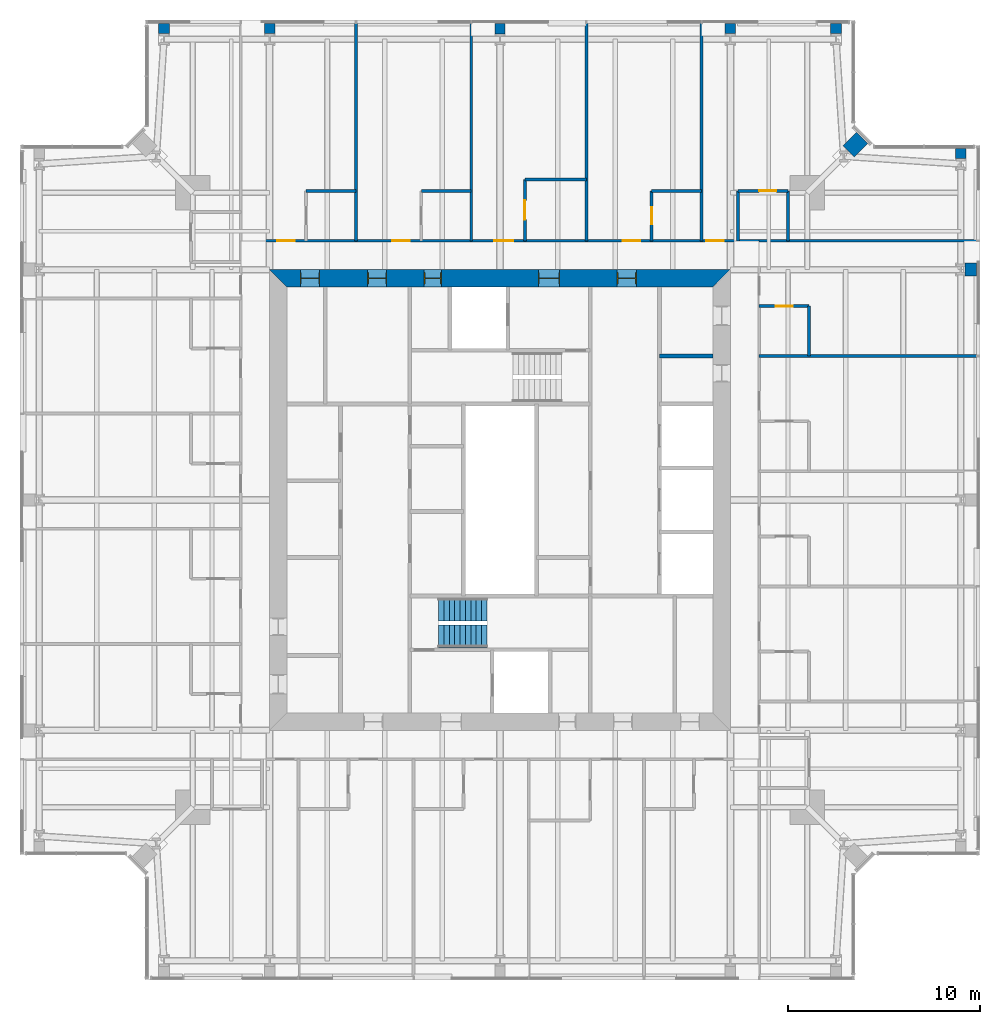
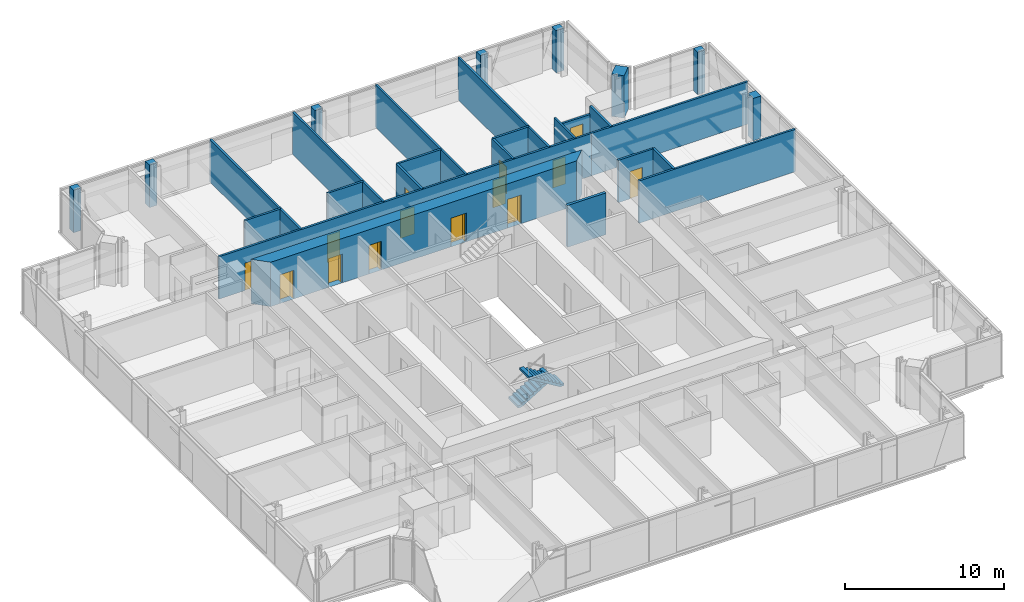
# One storey, part 15 of 20: 28 walls, 14 doors, 2 stair flights, 14 openings, 1 element without a shape of its own.
"""IFC4 building model written with IfcOpenShell, lengths in metres."""

from ifc_helpers import new_model, si_unit, direction, frame, frame_2d, origin, place, context, subcontext, project, spatial, polyline, rectangle, outline, extrude, material, layer, layer_set, type_object, element, fill, aggregate, save


model = new_model("IFC4")

# Units and contexts
model_context = context("Model", 3, precision=1e-05, world=origin(), true_north=direction((0.0, 1.0)))
body_context = subcontext(model_context, "Body", "Model", "MODEL_VIEW")
ifc_project = project(units=[si_unit("LENGTHUNIT", "METRE"), si_unit("AREAUNIT", "SQUARE_METRE"), si_unit("VOLUMEUNIT", "CUBIC_METRE"), si_unit("PLANEANGLEUNIT", "RADIAN"), si_unit("MASSUNIT", "GRAM", prefix="KILO")], contexts=[model_context])

# Site, building, storey
site_placement = place(None, origin())
site = spatial("IfcSite", under=ifc_project, at=site_placement, CompositionType="ELEMENT")
building_placement = place(site_placement, origin())
building = spatial("IfcBuilding", under=site, at=building_placement, Name="Fenwick Lantern Interchange", CompositionType="ELEMENT")
storey_placement = place(building_placement, frame((0.0, 0.0, 245.800048828125)))
storey = spatial("IfcBuildingStorey", under=building, at=storey_placement, Name="L57", CompositionType="ELEMENT", Elevation=245.800048828125)

# Walls
ifc_material_1 = material(Name="Fire-rated gypsum board encasement on steel studs, 2 hour", Category="steel")
ifc_layer_1 = layer(ifc_material_1, 0.5419921875)
ifc_layer_set_1 = layer_set([ifc_layer_1], Name="COLUMN PIER 542")
wall_type_1 = type_object("IfcWallType", Name="COLUMN PIER 542", PredefinedType="PARTITIONING", material=ifc_layer_set_1)
wall_1_placement = place(storey_placement, frame((25.0, 49.81005859375, 0.0), z_axis=(0.0, 0.0, 1.0), x_axis=(0.0, -1.0, 0.0)))
element("IfcWall", 1, at=wall_1_placement, inside=storey, type_object=wall_type_1, Name="L57/W/PIER/CN3", PredefinedType="PARTITIONING", context=body_context, shape_type="SweptSolid", body=[
    extrude(rectangle(XDim=0.544677734375, YDim=0.5419921875, at=frame_2d((0.2724609375, 0.0))), origin(), (0.0, 0.0, 1.0), 3.25),
])
ifc_layer_2 = layer(ifc_material_1, 0.554931640625)
ifc_layer_set_2 = layer_set([ifc_layer_2], Name="COLUMN PIER 555")
wall_type_2 = type_object("IfcWallType", Name="COLUMN PIER 555", PredefinedType="PARTITIONING", material=ifc_layer_set_2)
for number, where, z_axis, x_axis, name in (
    (2, (49.0, 43.31005859375, 0.0), (0.0, 0.0, 1.0), (0.0, -1.0, 0.0), "L57/W/PIER/CE5"),
    (3, (42.5, 49.81005859375, 0.0), (0.0, 0.0, 1.0), (0.0, -1.0, 0.0), "L57/W/PIER/CN1"),
    (4, (37.0, 49.81005859375, 0.0), (0.0, 0.0, 1.0), (0.0, -1.0, 0.0), "L57/W/PIER/CN2"),
    (5, (13.0, 49.81005859375, 0.0), (0.0, 0.0, 1.0), (0.0, -1.0, 0.0), "L57/W/PIER/CN4"),
    (6, (7.5, 49.81005859375, 0.0), (0.0, 0.0, 1.0), (0.0, -1.0, 0.0), "L57/W/PIER/CN5"),
):
    element("IfcWall", number, at=place(storey_placement, frame(where, z_axis=z_axis, x_axis=x_axis)), inside=storey, type_object=wall_type_2, Name=name, PredefinedType="PARTITIONING", context=body_context, shape_type="SweptSolid", body=[
        extrude(rectangle(XDim=0.525634765625, YDim=0.554931640625, at=frame_2d((0.2626953125, 0.0))), origin(), (0.0, 0.0, 1.0), 3.25),
    ])
ifc_layer_3 = layer(ifc_material_1, 0.6689453125)
ifc_layer_set_3 = layer_set([ifc_layer_3], Name="COLUMN PIER 669")
wall_type_3 = type_object("IfcWallType", Name="COLUMN PIER 669", PredefinedType="PARTITIONING", material=ifc_layer_set_3)
wall_2_placement = place(storey_placement, frame((49.81005859375, 37.0, 0.0), z_axis=(0.0, 0.0, 1.0), x_axis=(-1.0, 0.0, 0.0)))
element("IfcWall", 7, at=wall_2_placement, inside=storey, type_object=wall_type_3, Name="L57/W/PIER/CE4", PredefinedType="PARTITIONING", context=body_context, shape_type="SweptSolid", body=[
    extrude(rectangle(XDim=0.582763671875, YDim=0.6689453125, at=frame_2d((0.29150390625, 0.0))), origin(), (0.0, 0.0, 1.0), 3.25),
])
ifc_layer_4 = layer(ifc_material_1, 0.823974609375)
ifc_layer_set_4 = layer_set([ifc_layer_4], Name="COLUMN PIER 824")
wall_type_4 = type_object("IfcWallType", Name="COLUMN PIER 824", PredefinedType="PARTITIONING", material=ifc_layer_set_4)
wall_3_placement = place(storey_placement, frame((43.86572265625, 43.86572265625, 0.0), z_axis=(0.0, 0.0, 1.0), x_axis=(-0.707106781187, -0.707106781187, 0.0)))
element("IfcWall", 8, at=wall_3_placement, inside=storey, type_object=wall_type_4, Name="L57/W/PIER/CER", PredefinedType="PARTITIONING", context=body_context, shape_type="SweptSolid", body=[
    extrude(rectangle(XDim=1.003662109375, YDim=0.823974609375, at=frame_2d((0.501953125, 0.0))), origin(), (0.0, 0.0, 1.0), 3.25),
])
ifc_material_2 = material(Name="Concrete masonry ASTM C90 Grade N", Category="masonry")
ifc_layer_5 = layer(ifc_material_2, 0.199951171875)
ifc_layer_set_5 = layer_set([ifc_layer_5], Name="Concrete masonry ASTM C90 Grade N")
wall_type_5 = type_object("IfcWallType", Name="CORE PARTITION 200", PredefinedType="PARTITIONING", material=ifc_layer_set_5)
wall_4_placement = place(storey_placement, frame((36.10009765625, 32.5, 0.0), z_axis=(0.0, 0.0, 1.0), x_axis=(-1.0, 0.0, 0.0)))
element("IfcWall", 9, at=wall_4_placement, inside=storey, type_object=wall_type_5, Name="L57/W/COREN/p1", PredefinedType="PARTITIONING", context=body_context, shape_type="SweptSolid", body=[
    extrude(rectangle(XDim=2.800048828125, YDim=0.199951171875, at=frame_2d((1.39990234375, 0.0))), origin(), (0.0, 0.0, 1.0), 3.199951171875),
])

# Wall, openings, doors
ifc_material_3 = material(Name="Concrete f'c 70 MPa", Category="concrete")
ifc_layer_6 = layer(ifc_material_3, 0.89990234375)
ifc_layer_set_6 = layer_set([ifc_layer_6], Name="CORE WALL 900")
wall_type_6 = type_object("IfcWallType", Name="CORE WALL 900", PredefinedType="SHEAR", material=ifc_layer_set_6)
wall_5_placement = place(storey_placement, frame((37.0, 36.550048828125, 0.0), z_axis=(0.0, 0.0, 1.0), x_axis=(-1.0, 0.0, 0.0)))
wall_5 = element("IfcWall", 10, at=wall_5_placement, inside=storey, type_object=wall_type_6, Name="L57/CORE/N", PredefinedType="SHEAR", context=body_context, shape_type="SweptSolid", body=[
    extrude(outline(polyline([(0.0, -0.449951171875), (24.0, -0.449951171875), (23.10009765625, 0.449951171875), (0.89990234375, 0.449951171875), (0.0, -0.449951171875)])), origin(), (0.0, 0.0, 1.0), 3.39990234375),
])
opening_1_placement = place(wall_5_placement, frame((4.89990234375, 0.0, 0.0)))
opening_1 = element("IfcOpeningElement", 11, at=opening_1_placement, cuts=wall_5, Name="Opening L57-D014", PredefinedType="OPENING", context=body_context, shape_type="SweptSolid", body=[
    extrude(rectangle(XDim=1.0, YDim=2.199951171875, at=frame_2d((0.5, 1.10009765625))), frame((0.0, 0.4599609375, 0.0), z_axis=(0.0, -1.0, 0.0), x_axis=(1.0, 0.0, 0.0)), (0.0, 0.0, 1.0), 0.919921875),
])
opening_2_placement = place(wall_5_placement, frame((8.89990234375, 0.0, 0.0)))
opening_2 = element("IfcOpeningElement", 12, at=opening_2_placement, cuts=wall_5, Name="Opening L57-D015", PredefinedType="OPENING", context=body_context, shape_type="SweptSolid", body=[
    extrude(rectangle(XDim=1.10009765625, YDim=2.199951171875, at=frame_2d((0.550048828125, 1.10009765625))), frame((0.0, 0.4599609375, 0.0), z_axis=(0.0, -1.0, 0.0), x_axis=(1.0, 0.0, 0.0)), (0.0, 0.0, 1.0), 0.919921875),
])
opening_3_placement = place(wall_5_placement, frame((15.050048828125, 0.0, 0.0)))
opening_3 = element("IfcOpeningElement", 13, at=opening_3_placement, cuts=wall_5, Name="Opening L57-D017", PredefinedType="OPENING", context=body_context, shape_type="SweptSolid", body=[
    extrude(rectangle(XDim=0.89990234375, YDim=2.199951171875, at=frame_2d((0.449951171875, 1.10009765625))), frame((0.0, 0.4599609375, 0.0), z_axis=(0.0, -1.0, 0.0), x_axis=(1.0, 0.0, 0.0)), (0.0, 0.0, 1.0), 0.919921875),
])
opening_4_placement = place(wall_5_placement, frame((17.89990234375, 0.0, 0.0)))
opening_4 = element("IfcOpeningElement", 14, at=opening_4_placement, cuts=wall_5, Name="Opening L57-D018", PredefinedType="OPENING", context=body_context, shape_type="SweptSolid", body=[
    extrude(rectangle(XDim=1.0, YDim=2.199951171875, at=frame_2d((0.5, 1.10009765625))), frame((0.0, 0.4599609375, 0.0), z_axis=(0.0, -1.0, 0.0), x_axis=(1.0, 0.0, 0.0)), (0.0, 0.0, 1.0), 0.919921875),
])
opening_5_placement = place(wall_5_placement, frame((21.39990234375, 0.0, 0.0)))
opening_5 = element("IfcOpeningElement", 15, at=opening_5_placement, cuts=wall_5, Name="Opening L57-D019", PredefinedType="OPENING", context=body_context, shape_type="SweptSolid", body=[
    extrude(rectangle(XDim=1.0, YDim=2.199951171875, at=frame_2d((0.5, 1.10009765625))), frame((0.0, 0.4599609375, 0.0), z_axis=(0.0, -1.0, 0.0), x_axis=(1.0, 0.0, 0.0)), (0.0, 0.0, 1.0), 0.919921875),
])
ifc_material_4 = material(Name="Steel door and frame", Category="steel")
door_type_1 = type_object("IfcDoorType", Name="CORE LOBBY DOOR 1000 X 2200", OperationType="SINGLE_SWING_LEFT", PredefinedType="DOOR", material=ifc_material_4)
door_1_placement = place(opening_1_placement, origin())
door_1 = element("IfcDoor", 16, at=door_1_placement, inside=storey, type_object=door_type_1, Name="Core lobby door", OperationType="SINGLE_SWING_LEFT", OverallHeight=2.199951171875, OverallWidth=1.0, PredefinedType="DOOR", context=body_context, shape_type="SweptSolid", body=[
    extrude(rectangle(XDim=1.0, YDim=2.199951171875, at=frame_2d((0.5, 1.10009765625))), frame((0.0, 0.02490234375, 0.0), z_axis=(0.0, -1.0, 0.0), x_axis=(1.0, 0.0, 0.0)), (0.0, 0.0, 1.0), 0.050048828125),
    extrude(outline(polyline([(0.0, 0.0), (0.0400390625, 0.0), (0.0400390625, 2.159912109375), (0.9599609375, 2.159912109375), (0.9599609375, 0.0), (1.0, 0.0), (1.0, 2.199951171875), (0.0, 2.199951171875), (0.0, 0.0)])), frame((0.0, 0.300048828125, 0.0), z_axis=(0.0, -1.0, 0.0), x_axis=(1.0, 0.0, 0.0)), (0.0, 0.0, 1.0), 0.60009765625),
])
fill(opening_1, door_1)
door_type_2 = type_object("IfcDoorType", Name="FIRE LOBBY DOOR 1100 X 2200", OperationType="SINGLE_SWING_LEFT", PredefinedType="DOOR", material=ifc_material_4)
door_2_placement = place(opening_2_placement, origin())
door_2 = element("IfcDoor", 17, at=door_2_placement, inside=storey, type_object=door_type_2, Name="Fire lobby door", OperationType="SINGLE_SWING_LEFT", OverallHeight=2.199951171875, OverallWidth=1.10009765625, PredefinedType="DOOR", context=body_context, shape_type="SweptSolid", body=[
    extrude(rectangle(XDim=1.10009765625, YDim=2.199951171875, at=frame_2d((0.550048828125, 1.10009765625))), frame((0.0, 0.02490234375, 0.0), z_axis=(0.0, -1.0, 0.0), x_axis=(1.0, 0.0, 0.0)), (0.0, 0.0, 1.0), 0.050048828125),
    extrude(outline(polyline([(0.0, 0.0), (0.0400390625, 0.0), (0.0400390625, 2.159912109375), (1.06005859375, 2.159912109375), (1.06005859375, 0.0), (1.10009765625, 0.0), (1.10009765625, 2.199951171875), (0.0, 2.199951171875), (0.0, 0.0)])), frame((0.0, 0.300048828125, 0.0), z_axis=(0.0, -1.0, 0.0), x_axis=(1.0, 0.0, 0.0)), (0.0, 0.0, 1.0), 0.60009765625),
])
fill(opening_2, door_2)
door_type_3 = type_object("IfcDoorType", Name="SERVICE DOOR 900 X 2200", OperationType="SINGLE_SWING_LEFT", PredefinedType="DOOR", material=ifc_material_4)
door_3_placement = place(opening_3_placement, origin())
door_3 = element("IfcDoor", 18, at=door_3_placement, inside=storey, type_object=door_type_3, Name="Service door", OperationType="SINGLE_SWING_LEFT", OverallHeight=2.199951171875, OverallWidth=0.89990234375, PredefinedType="DOOR", context=body_context, shape_type="SweptSolid", body=[
    extrude(rectangle(XDim=0.89990234375, YDim=2.199951171875, at=frame_2d((0.449951171875, 1.10009765625))), frame((0.0, 0.02490234375, 0.0), z_axis=(0.0, -1.0, 0.0), x_axis=(1.0, 0.0, 0.0)), (0.0, 0.0, 1.0), 0.050048828125),
    extrude(outline(polyline([(0.0, 0.0), (0.0400390625, 0.0), (0.0400390625, 2.159912109375), (0.85986328125, 2.159912109375), (0.85986328125, 0.0), (0.89990234375, 0.0), (0.89990234375, 2.199951171875), (0.0, 2.199951171875), (0.0, 0.0)])), frame((0.0, 0.300048828125, 0.0), z_axis=(0.0, -1.0, 0.0), x_axis=(1.0, 0.0, 0.0)), (0.0, 0.0, 1.0), 0.60009765625),
])
fill(opening_3, door_3)
ifc_material_5 = material(Name="Hardwood door and steel frame", Category="steel")
door_type_4 = type_object("IfcDoorType", Name="WC DOOR 1000 X 2200", OperationType="SINGLE_SWING_LEFT", PredefinedType="DOOR", material=ifc_material_5)
door_4_placement = place(opening_4_placement, origin())
door_4 = element("IfcDoor", 19, at=door_4_placement, inside=storey, type_object=door_type_4, Name="Wc door", OperationType="SINGLE_SWING_LEFT", OverallHeight=2.199951171875, OverallWidth=1.0, PredefinedType="DOOR", context=body_context, shape_type="SweptSolid", body=[
    extrude(rectangle(XDim=1.0, YDim=2.199951171875, at=frame_2d((0.5, 1.10009765625))), frame((0.0, 0.02490234375, 0.0), z_axis=(0.0, -1.0, 0.0), x_axis=(1.0, 0.0, 0.0)), (0.0, 0.0, 1.0), 0.050048828125),
    extrude(outline(polyline([(0.0, 0.0), (0.0400390625, 0.0), (0.0400390625, 2.159912109375), (0.9599609375, 2.159912109375), (0.9599609375, 0.0), (1.0, 0.0), (1.0, 2.199951171875), (0.0, 2.199951171875), (0.0, 0.0)])), frame((0.0, 0.300048828125, 0.0), z_axis=(0.0, -1.0, 0.0), x_axis=(1.0, 0.0, 0.0)), (0.0, 0.0, 1.0), 0.60009765625),
])
fill(opening_4, door_4)
door_5_placement = place(opening_5_placement, origin())
door_5 = element("IfcDoor", 20, at=door_5_placement, inside=storey, type_object=door_type_4, Name="Wc door", OperationType="SINGLE_SWING_LEFT", OverallHeight=2.199951171875, OverallWidth=1.0, PredefinedType="DOOR", context=body_context, shape_type="SweptSolid", body=[
    extrude(rectangle(XDim=1.0, YDim=2.199951171875, at=frame_2d((0.5, 1.10009765625))), frame((0.0, 0.02490234375, 0.0), z_axis=(0.0, -1.0, 0.0), x_axis=(1.0, 0.0, 0.0)), (0.0, 0.0, 1.0), 0.050048828125),
    extrude(outline(polyline([(0.0, 0.0), (0.0400390625, 0.0), (0.0400390625, 2.159912109375), (0.9599609375, 2.159912109375), (0.9599609375, 0.0), (1.0, 0.0), (1.0, 2.199951171875), (0.0, 2.199951171875), (0.0, 0.0)])), frame((0.0, 0.300048828125, 0.0), z_axis=(0.0, -1.0, 0.0), x_axis=(1.0, 0.0, 0.0)), (0.0, 0.0, 1.0), 0.60009765625),
])
fill(opening_5, door_5)

ifc_material_6 = material(Name="Gypsum board on steel studs, 1 hour", Category="steel")
ifc_layer_7 = layer(ifc_material_6, 0.14990234375)
ifc_layer_set_7 = layer_set([ifc_layer_7], Name="CORRIDOR WALL 150")
wall_type_7 = type_object("IfcWallType", Name="CORRIDOR WALL 150", PredefinedType="PARTITIONING", material=ifc_layer_set_7)
wall_6_placement = place(storey_placement, frame((38.5, 38.5, 0.0), z_axis=(0.0, 0.0, 1.0), x_axis=(-1.0, 0.0, 0.0)))
wall_6 = element("IfcWall", 21, at=wall_6_placement, inside=storey, type_object=wall_type_7, Name="L57/W/HOTEL/N/CW", PredefinedType="PARTITIONING", context=body_context, shape_type="SweptSolid", body=[
    extrude(rectangle(XDim=27.0, YDim=0.14990234375, at=frame_2d((13.5, 0.0))), origin(), (0.0, 0.0, 1.0), 3.25),
])
opening_6_placement = place(wall_6_placement, frame((1.85009765625, 0.0, 0.0)))
opening_6 = element("IfcOpeningElement", 22, at=opening_6_placement, cuts=wall_6, Name="Opening L57-D044", PredefinedType="OPENING", context=body_context, shape_type="SweptSolid", body=[
    extrude(rectangle(XDim=0.89990234375, YDim=2.10009765625, at=frame_2d((0.449951171875, 1.050048828125))), frame((0.0, 0.0849609375, 0.0), z_axis=(0.0, -1.0, 0.0), x_axis=(1.0, 0.0, 0.0)), (0.0, 0.0, 1.0), 0.169921875),
])
opening_7_placement = place(wall_6_placement, frame((6.199951171875, 0.0, 0.0)))
opening_7 = element("IfcOpeningElement", 23, at=opening_7_placement, cuts=wall_6, Name="Opening L57-D047", PredefinedType="OPENING", context=body_context, shape_type="SweptSolid", body=[
    extrude(rectangle(XDim=0.89990234375, YDim=2.10009765625, at=frame_2d((0.449951171875, 1.050048828125))), frame((0.0, 0.0849609375, 0.0), z_axis=(0.0, -1.0, 0.0), x_axis=(1.0, 0.0, 0.0)), (0.0, 0.0, 1.0), 0.169921875),
])
opening_8_placement = place(wall_6_placement, frame((12.800048828125, 0.0, 0.0)))
opening_8 = element("IfcOpeningElement", 24, at=opening_8_placement, cuts=wall_6, Name="Opening L57-D049", PredefinedType="OPENING", context=body_context, shape_type="SweptSolid", body=[
    extrude(rectangle(XDim=1.0, YDim=2.10009765625, at=frame_2d((0.5, 1.050048828125))), frame((0.0, 0.0849609375, 0.0), z_axis=(0.0, -1.0, 0.0), x_axis=(1.0, 0.0, 0.0)), (0.0, 0.0, 1.0), 0.169921875),
])
opening_9_placement = place(wall_6_placement, frame((18.199951171875, 0.0, 0.0)))
opening_9 = element("IfcOpeningElement", 25, at=opening_9_placement, cuts=wall_6, Name="Opening L57-D051", PredefinedType="OPENING", context=body_context, shape_type="SweptSolid", body=[
    extrude(rectangle(XDim=0.89990234375, YDim=2.10009765625, at=frame_2d((0.449951171875, 1.050048828125))), frame((0.0, 0.0849609375, 0.0), z_axis=(0.0, -1.0, 0.0), x_axis=(1.0, 0.0, 0.0)), (0.0, 0.0, 1.0), 0.169921875),
])
opening_10_placement = place(wall_6_placement, frame((24.199951171875, 0.0, 0.0)))
opening_10 = element("IfcOpeningElement", 26, at=opening_10_placement, cuts=wall_6, Name="Opening L57-D053", PredefinedType="OPENING", context=body_context, shape_type="SweptSolid", body=[
    extrude(rectangle(XDim=0.89990234375, YDim=2.10009765625, at=frame_2d((0.449951171875, 1.050048828125))), frame((0.0, 0.0849609375, 0.0), z_axis=(0.0, -1.0, 0.0), x_axis=(1.0, 0.0, 0.0)), (0.0, 0.0, 1.0), 0.169921875),
])
door_type_5 = type_object("IfcDoorType", Name="GUEST ROOM DOOR 1000 X 2100", OperationType="SINGLE_SWING_LEFT", PredefinedType="DOOR", material=ifc_material_4)
door_6_placement = place(opening_8_placement, frame((1.0, 0.0, 0.0), z_axis=(0.0, 0.0, 1.0), x_axis=(-1.0, 0.0, 0.0)))
door_6 = element("IfcDoor", 27, at=door_6_placement, inside=storey, type_object=door_type_5, Name="Guest room door", OperationType="SINGLE_SWING_RIGHT", OverallHeight=2.10009765625, OverallWidth=1.0, PredefinedType="DOOR", context=body_context, shape_type="SweptSolid", body=[
    extrude(rectangle(XDim=1.0, YDim=2.10009765625, at=frame_2d((0.5, 1.050048828125))), frame((0.0, 0.02490234375, 0.0), z_axis=(0.0, -1.0, 0.0), x_axis=(1.0, 0.0, 0.0)), (0.0, 0.0, 1.0), 0.050048828125),
])
fill(opening_8, door_6)
door_type_6 = type_object("IfcDoorType", Name="GUEST ROOM DOOR 900 X 2100", OperationType="SINGLE_SWING_LEFT", PredefinedType="DOOR", material=ifc_material_4)
door_7_placement = place(opening_6_placement, frame((0.89990234375, 0.0, 0.0), z_axis=(0.0, 0.0, 1.0), x_axis=(-1.0, 0.0, 0.0)))
door_7 = element("IfcDoor", 28, at=door_7_placement, inside=storey, type_object=door_type_6, Name="Guest room door", OperationType="SINGLE_SWING_LEFT", OverallHeight=2.10009765625, OverallWidth=0.89990234375, PredefinedType="DOOR", context=body_context, shape_type="SweptSolid", body=[
    extrude(rectangle(XDim=0.89990234375, YDim=2.10009765625, at=frame_2d((0.449951171875, 1.050048828125))), frame((0.0, 0.02490234375, 0.0), z_axis=(0.0, -1.0, 0.0), x_axis=(1.0, 0.0, 0.0)), (0.0, 0.0, 1.0), 0.050048828125),
])
fill(opening_6, door_7)
door_8_placement = place(opening_7_placement, frame((0.89990234375, 0.0, 0.0), z_axis=(0.0, 0.0, 1.0), x_axis=(-1.0, 0.0, 0.0)))
door_8 = element("IfcDoor", 29, at=door_8_placement, inside=storey, type_object=door_type_6, Name="Guest room door", OperationType="SINGLE_SWING_RIGHT", OverallHeight=2.10009765625, OverallWidth=0.89990234375, PredefinedType="DOOR", context=body_context, shape_type="SweptSolid", body=[
    extrude(rectangle(XDim=0.89990234375, YDim=2.10009765625, at=frame_2d((0.449951171875, 1.050048828125))), frame((0.0, 0.02490234375, 0.0), z_axis=(0.0, -1.0, 0.0), x_axis=(1.0, 0.0, 0.0)), (0.0, 0.0, 1.0), 0.050048828125),
])
fill(opening_7, door_8)
door_9_placement = place(opening_9_placement, frame((0.89990234375, 0.0, 0.0), z_axis=(0.0, 0.0, 1.0), x_axis=(-1.0, 0.0, 0.0)))
door_9 = element("IfcDoor", 30, at=door_9_placement, inside=storey, type_object=door_type_6, Name="Guest room door", OperationType="SINGLE_SWING_RIGHT", OverallHeight=2.10009765625, OverallWidth=0.89990234375, PredefinedType="DOOR", context=body_context, shape_type="SweptSolid", body=[
    extrude(rectangle(XDim=0.89990234375, YDim=2.10009765625, at=frame_2d((0.449951171875, 1.050048828125))), frame((0.0, 0.02490234375, 0.0), z_axis=(0.0, -1.0, 0.0), x_axis=(1.0, 0.0, 0.0)), (0.0, 0.0, 1.0), 0.050048828125),
])
fill(opening_9, door_9)
door_10_placement = place(opening_10_placement, frame((0.89990234375, 0.0, 0.0), z_axis=(0.0, 0.0, 1.0), x_axis=(-1.0, 0.0, 0.0)))
door_10 = element("IfcDoor", 31, at=door_10_placement, inside=storey, type_object=door_type_6, Name="Guest room door", OperationType="SINGLE_SWING_RIGHT", OverallHeight=2.10009765625, OverallWidth=0.89990234375, PredefinedType="DOOR", context=body_context, shape_type="SweptSolid", body=[
    extrude(rectangle(XDim=0.89990234375, YDim=2.10009765625, at=frame_2d((0.449951171875, 1.050048828125))), frame((0.0, 0.02490234375, 0.0), z_axis=(0.0, -1.0, 0.0), x_axis=(1.0, 0.0, 0.0)), (0.0, 0.0, 1.0), 0.050048828125),
])
fill(opening_10, door_10)

# Wall
ifc_material_7 = material(Name="Gypsum board on steel studs, moisture resistant", Category="steel")
ifc_layer_8 = layer(ifc_material_7, 0.14990234375)
ifc_layer_set_8 = layer_set([ifc_layer_8], Name="EN-SUITE WALL 150")
wall_type_8 = type_object("IfcWallType", Name="EN-SUITE WALL 150", PredefinedType="PARTITIONING", material=ifc_layer_set_8)
wall_7_placement = place(storey_placement, frame((41.10009765625, 32.5, 0.0), z_axis=(0.0, 0.0, 1.0), x_axis=(0.0, 1.0, 0.0)))
element("IfcWall", 32, at=wall_7_placement, inside=storey, type_object=wall_type_8, Name="L57/W/HOTEL/E/U5BW", PredefinedType="PARTITIONING", context=body_context, shape_type="SweptSolid", body=[
    extrude(rectangle(XDim=2.60009765625, YDim=0.14990234375, at=frame_2d((1.300048828125, 0.0))), origin(), (0.0, 0.0, 1.0), 3.25),
])

# Wall, opening, door
wall_8_placement = place(storey_placement, frame((41.10009765625, 35.10009765625, 0.0), z_axis=(0.0, 0.0, 1.0), x_axis=(-1.0, 0.0, 0.0)))
wall_8 = element("IfcWall", 33, at=wall_8_placement, inside=storey, type_object=wall_type_8, Name="L57/W/HOTEL/E/U5BX", PredefinedType="PARTITIONING", context=body_context, shape_type="SweptSolid", body=[
    extrude(rectangle(XDim=2.60009765625, YDim=0.14990234375, at=frame_2d((1.300048828125, 0.0))), origin(), (0.0, 0.0, 1.0), 3.25),
])
opening_11_placement = place(wall_8_placement, frame((0.85009765625, 0.0, 0.0)))
opening_11 = element("IfcOpeningElement", 34, at=opening_11_placement, cuts=wall_8, Name="Opening L57-D042", PredefinedType="OPENING", context=body_context, shape_type="SweptSolid", body=[
    extrude(rectangle(XDim=0.89990234375, YDim=2.10009765625, at=frame_2d((0.449951171875, 1.050048828125))), frame((0.0, 0.0849609375, 0.0), z_axis=(0.0, -1.0, 0.0), x_axis=(1.0, 0.0, 0.0)), (0.0, 0.0, 1.0), 0.169921875),
])
door_type_7 = type_object("IfcDoorType", Name="EN-SUITE DOOR 900 X 2100", OperationType="SINGLE_SWING_LEFT", PredefinedType="DOOR", material=ifc_material_5)
door_11_placement = place(opening_11_placement, origin())
door_11 = element("IfcDoor", 35, at=door_11_placement, inside=storey, type_object=door_type_7, Name="En-suite door", OperationType="SINGLE_SWING_LEFT", OverallHeight=2.10009765625, OverallWidth=0.89990234375, PredefinedType="DOOR", context=body_context, shape_type="SweptSolid", body=[
    extrude(rectangle(XDim=0.89990234375, YDim=2.10009765625, at=frame_2d((0.449951171875, 1.050048828125))), frame((0.0, 0.02490234375, 0.0), z_axis=(0.0, -1.0, 0.0), x_axis=(1.0, 0.0, 0.0)), (0.0, 0.0, 1.0), 0.050048828125),
])
fill(opening_11, door_11)

wall_9_placement = place(storey_placement, frame((40.0, 41.10009765625, 0.0), z_axis=(0.0, 0.0, 1.0), x_axis=(-1.0, 0.0, 0.0)))
wall_9 = element("IfcWall", 36, at=wall_9_placement, inside=storey, type_object=wall_type_8, Name="L57/W/HOTEL/N/U1BW", PredefinedType="PARTITIONING", context=body_context, shape_type="SweptSolid", body=[
    extrude(rectangle(XDim=2.60009765625, YDim=0.14990234375, at=frame_2d((1.300048828125, 0.0))), origin(), (0.0, 0.0, 1.0), 2.6376953125),
])
opening_12_placement = place(wall_9_placement, frame((0.60009765625, 0.0, 0.0)))
opening_12 = element("IfcOpeningElement", 37, at=opening_12_placement, cuts=wall_9, Name="Opening L57-D045", PredefinedType="OPENING", context=body_context, shape_type="SweptSolid", body=[
    extrude(rectangle(XDim=0.89990234375, YDim=2.10009765625, at=frame_2d((0.449951171875, 1.050048828125))), frame((0.0, 0.0849609375, 0.0), z_axis=(0.0, -1.0, 0.0), x_axis=(1.0, 0.0, 0.0)), (0.0, 0.0, 1.0), 0.169921875),
])
door_12_placement = place(opening_12_placement, origin())
door_12 = element("IfcDoor", 38, at=door_12_placement, inside=storey, type_object=door_type_7, Name="En-suite door", OperationType="SINGLE_SWING_LEFT", OverallHeight=2.10009765625, OverallWidth=0.89990234375, PredefinedType="DOOR", context=body_context, shape_type="SweptSolid", body=[
    extrude(rectangle(XDim=0.89990234375, YDim=2.10009765625, at=frame_2d((0.449951171875, 1.050048828125))), frame((0.0, 0.02490234375, 0.0), z_axis=(0.0, -1.0, 0.0), x_axis=(1.0, 0.0, 0.0)), (0.0, 0.0, 1.0), 0.050048828125),
])
fill(opening_12, door_12)

# Walls
for number, where, z_axis, x_axis, name in (
    (39, (40.0, 41.10009765625, 0.0), (0.0, 0.0, 1.0), (0.0, -1.0, 0.0), "L57/W/HOTEL/N/U1BX"),
    (40, (37.39990234375, 41.10009765625, 0.0), (0.0, 0.0, 1.0), (0.0, -1.0, 0.0), "L57/W/HOTEL/N/U1BE"),
    (41, (35.5, 41.10009765625, 0.0), (0.0, 0.0, 1.0), (-1.0, 0.0, 0.0), "L57/W/HOTEL/N/U2BW"),
):
    element("IfcWall", number, at=place(storey_placement, frame(where, z_axis=z_axis, x_axis=x_axis)), inside=storey, type_object=wall_type_8, Name=name, PredefinedType="PARTITIONING", context=body_context, shape_type="SweptSolid", body=[
        extrude(rectangle(XDim=2.60009765625, YDim=0.14990234375, at=frame_2d((1.300048828125, 0.0))), origin(), (0.0, 0.0, 1.0), 3.25),
    ])

# Wall, opening, door
wall_10_placement = place(storey_placement, frame((32.89990234375, 41.10009765625, 0.0), z_axis=(0.0, 0.0, 1.0), x_axis=(0.0, -1.0, 0.0)))
wall_10 = element("IfcWall", 42, at=wall_10_placement, inside=storey, type_object=wall_type_8, Name="L57/W/HOTEL/N/U2BX", PredefinedType="PARTITIONING", context=body_context, shape_type="SweptSolid", body=[
    extrude(rectangle(XDim=2.60009765625, YDim=0.14990234375, at=frame_2d((1.300048828125, 0.0))), origin(), (0.0, 0.0, 1.0), 3.25),
])
opening_13_placement = place(wall_10_placement, frame((0.85009765625, 0.0, 0.0)))
opening_13 = element("IfcOpeningElement", 43, at=opening_13_placement, cuts=wall_10, Name="Opening L57-D046", PredefinedType="OPENING", context=body_context, shape_type="SweptSolid", body=[
    extrude(rectangle(XDim=0.89990234375, YDim=2.10009765625, at=frame_2d((0.449951171875, 1.050048828125))), frame((0.0, 0.0849609375, 0.0), z_axis=(0.0, -1.0, 0.0), x_axis=(1.0, 0.0, 0.0)), (0.0, 0.0, 1.0), 0.169921875),
])
door_13_placement = place(opening_13_placement, origin())
door_13 = element("IfcDoor", 44, at=door_13_placement, inside=storey, type_object=door_type_7, Name="En-suite door", OperationType="SINGLE_SWING_LEFT", OverallHeight=2.10009765625, OverallWidth=0.89990234375, PredefinedType="DOOR", context=body_context, shape_type="SweptSolid", body=[
    extrude(rectangle(XDim=0.89990234375, YDim=2.10009765625, at=frame_2d((0.449951171875, 1.050048828125))), frame((0.0, 0.02490234375, 0.0), z_axis=(0.0, -1.0, 0.0), x_axis=(1.0, 0.0, 0.0)), (0.0, 0.0, 1.0), 0.050048828125),
])
fill(opening_13, door_13)

# Wall
wall_11_placement = place(storey_placement, frame((29.5, 41.699951171875, 0.0), z_axis=(0.0, 0.0, 1.0), x_axis=(-1.0, 0.0, 0.0)))
element("IfcWall", 45, at=wall_11_placement, inside=storey, type_object=wall_type_8, Name="L57/W/HOTEL/N/U3BW", PredefinedType="PARTITIONING", context=body_context, shape_type="SweptSolid", body=[
    extrude(rectangle(XDim=3.199951171875, YDim=0.14990234375, at=frame_2d((1.60009765625, 0.0))), origin(), (0.0, 0.0, 1.0), 3.25),
])

# Wall, opening, door
wall_12_placement = place(storey_placement, frame((26.300048828125, 41.699951171875, 0.0), z_axis=(0.0, 0.0, 1.0), x_axis=(0.0, -1.0, 0.0)))
wall_12 = element("IfcWall", 46, at=wall_12_placement, inside=storey, type_object=wall_type_8, Name="L57/W/HOTEL/N/U3BX", PredefinedType="PARTITIONING", context=body_context, shape_type="SweptSolid", body=[
    extrude(rectangle(XDim=3.199951171875, YDim=0.14990234375, at=frame_2d((1.60009765625, 0.0))), origin(), (0.0, 0.0, 1.0), 3.25),
])
opening_14_placement = place(wall_12_placement, frame((1.10009765625, 0.0, 0.0)))
opening_14 = element("IfcOpeningElement", 47, at=opening_14_placement, cuts=wall_12, Name="Opening L57-D048", PredefinedType="OPENING", context=body_context, shape_type="SweptSolid", body=[
    extrude(rectangle(XDim=1.0, YDim=2.10009765625, at=frame_2d((0.5, 1.050048828125))), frame((0.0, 0.0849609375, 0.0), z_axis=(0.0, -1.0, 0.0), x_axis=(1.0, 0.0, 0.0)), (0.0, 0.0, 1.0), 0.169921875),
])
door_type_8 = type_object("IfcDoorType", Name="EN-SUITE DOOR 1000 X 2100", OperationType="SINGLE_SWING_LEFT", PredefinedType="DOOR", material=ifc_material_5)
door_14_placement = place(opening_14_placement, origin())
door_14 = element("IfcDoor", 48, at=door_14_placement, inside=storey, type_object=door_type_8, Name="En-suite door", OperationType="SINGLE_SWING_LEFT", OverallHeight=2.10009765625, OverallWidth=1.0, PredefinedType="DOOR", context=body_context, shape_type="SweptSolid", body=[
    extrude(rectangle(XDim=1.0, YDim=2.10009765625, at=frame_2d((0.5, 1.050048828125))), frame((0.0, 0.02490234375, 0.0), z_axis=(0.0, -1.0, 0.0), x_axis=(1.0, 0.0, 0.0)), (0.0, 0.0, 1.0), 0.050048828125),
])
fill(opening_14, door_14)

# Walls
for number, where, z_axis, x_axis, name in (
    (49, (23.5, 41.10009765625, 0.0), (0.0, 0.0, 1.0), (-1.0, 0.0, 0.0), "L57/W/HOTEL/N/U4BW"),
    (50, (17.5, 41.10009765625, 0.0), (0.0, 0.0, 1.0), (-1.0, 0.0, 0.0), "L57/W/HOTEL/N/U5BW"),
):
    element("IfcWall", number, at=place(storey_placement, frame(where, z_axis=z_axis, x_axis=x_axis)), inside=storey, type_object=wall_type_8, Name=name, PredefinedType="PARTITIONING", context=body_context, shape_type="SweptSolid", body=[
        extrude(rectangle(XDim=2.60009765625, YDim=0.14990234375, at=frame_2d((1.300048828125, 0.0))), origin(), (0.0, 0.0, 1.0), 3.25),
    ])
ifc_material_8 = material(Name="Gypsum board on steel studs, 1 hour acoustic", Category="steel")
ifc_layer_9 = layer(ifc_material_8, 0.14990234375)
ifc_layer_set_9 = layer_set([ifc_layer_9], Name="PARTY WALL 150")
wall_type_9 = type_object("IfcWallType", Name="PARTY WALL 150", PredefinedType="PARTITIONING", material=ifc_layer_set_9)
for number, where, z_axis, x_axis, name in (
    (51, (49.85009765625, 32.5, 0.0), (0.0, 0.0, 1.0), (-1.0, 0.0, 0.0), "L57/W/HOTEL/E/U5PW"),
    (52, (49.85009765625, 38.5, 0.0), (0.0, 0.0, 1.0), (-1.0, 0.0, 0.0), "L57/W/HOTEL/N/SW3"),
    (53, (35.5, 49.85009765625, 0.0), (0.0, 0.0, 1.0), (0.0, -1.0, 0.0), "L57/W/HOTEL/N/U2PW"),
    (54, (29.5, 49.85009765625, 0.0), (0.0, 0.0, 1.0), (0.0, -1.0, 0.0), "L57/W/HOTEL/N/U3PW"),
    (55, (23.5, 49.85009765625, 0.0), (0.0, 0.0, 1.0), (0.0, -1.0, 0.0), "L57/W/HOTEL/N/U4PW"),
    (56, (17.5, 49.85009765625, 0.0), (0.0, 0.0, 1.0), (0.0, -1.0, 0.0), "L57/W/HOTEL/N/U5PW"),
):
    element("IfcWall", number, at=place(storey_placement, frame(where, z_axis=z_axis, x_axis=x_axis)), inside=storey, type_object=wall_type_9, Name=name, PredefinedType="PARTITIONING", context=body_context, shape_type="SweptSolid", body=[
        extrude(rectangle(XDim=11.35009765625, YDim=0.14990234375, at=frame_2d((5.675048828125, 0.0))), origin(), (0.0, 0.0, 1.0), 3.25),
    ])

# Stair, stair flights
ifc_material_9 = material(Name="Precast concrete f'c 35 MPa", Category="concrete")
stair_type = type_object("IfcStairType", Name="EXIT STAIR 1200", PredefinedType="HALF_TURN_STAIR", material=ifc_material_9)
stair_placement = place(storey_placement, origin())
stair = element("IfcStair", 57, at=stair_placement, inside=storey, type_object=stair_type, Name="Exit stair ST1", PredefinedType="HALF_TURN_STAIR")
stair_flight_type = type_object("IfcStairFlightType", Name="STAIR FLIGHT 1200", PredefinedType="STRAIGHT", material=ifc_material_9)
stair_flight_1_placement = place(storey_placement, frame((21.800048828125, 19.300048828125, 0.0), z_axis=(0.0, 0.0, 1.0), x_axis=(1.0, 0.0, 0.0)))
stair_flight_1 = element("IfcStairFlight", 58, at=stair_flight_1_placement, type_object=stair_flight_type, Name="ST1 flight 1", NumberOfRisers=10, NumberOfTreads=9, PredefinedType="STRAIGHT", RiserHeight=0.17, TreadLength=0.28, context=body_context, shape_type="SweptSolid", body=[
    extrude(outline(polyline([(0.0, 0.0), (0.0, 0.169921875), (0.280029296875, 0.169921875), (0.280029296875, 0.340087890625), (0.56005859375, 0.340087890625), (0.56005859375, 0.510009765625), (0.840087890625, 0.510009765625), (0.840087890625, 0.679931640625), (1.1201171875, 0.679931640625), (1.1201171875, 0.85009765625), (1.39990234375, 0.85009765625), (1.39990234375, 1.02001953125), (1.679931640625, 1.02001953125), (1.679931640625, 1.18994140625), (1.9599609375, 1.18994140625), (1.9599609375, 1.360107421875), (2.239990234375, 1.360107421875), (2.239990234375, 1.530029296875), (2.52001953125, 1.530029296875), (2.52001953125, 1.699951171875), (2.52001953125, 1.354736328125), (0.288818359375, 0.0), (0.0, 0.0)])), frame((0.0, 0.60009765625, 0.0), z_axis=(0.0, -1.0, 0.0), x_axis=(1.0, 0.0, 0.0)), (0.0, 0.0, 1.0), 1.199951171875),
])
stair_flight_2_placement = place(storey_placement, frame((24.320068359375, 17.89990234375, 1.699951171875), z_axis=(0.0, 0.0, 1.0), x_axis=(-1.0, 0.0, 0.0)))
stair_flight_2 = element("IfcStairFlight", 59, at=stair_flight_2_placement, type_object=stair_flight_type, Name="ST1 flight 2", NumberOfRisers=10, NumberOfTreads=9, PredefinedType="STRAIGHT", RiserHeight=0.17, TreadLength=0.28, context=body_context, shape_type="SweptSolid", body=[
    extrude(outline(polyline([(0.0, 0.0), (0.0, 0.169921875), (0.280029296875, 0.169921875), (0.280029296875, 0.340087890625), (0.56005859375, 0.340087890625), (0.56005859375, 0.510009765625), (0.840087890625, 0.510009765625), (0.840087890625, 0.679931640625), (1.1201171875, 0.679931640625), (1.1201171875, 0.85009765625), (1.39990234375, 0.85009765625), (1.39990234375, 1.02001953125), (1.679931640625, 1.02001953125), (1.679931640625, 1.18994140625), (1.9599609375, 1.18994140625), (1.9599609375, 1.360107421875), (2.239990234375, 1.360107421875), (2.239990234375, 1.530029296875), (2.52001953125, 1.530029296875), (2.52001953125, 1.699951171875), (2.52001953125, 1.354736328125), (0.288818359375, 0.0), (0.0, 0.0)])), frame((0.0, 0.60009765625, 0.0), z_axis=(0.0, -1.0, 0.0), x_axis=(1.0, 0.0, 0.0)), (0.0, 0.0, 1.0), 1.199951171875),
])
aggregate(stair, [stair_flight_1, stair_flight_2])

save(model, "model.ifc")
